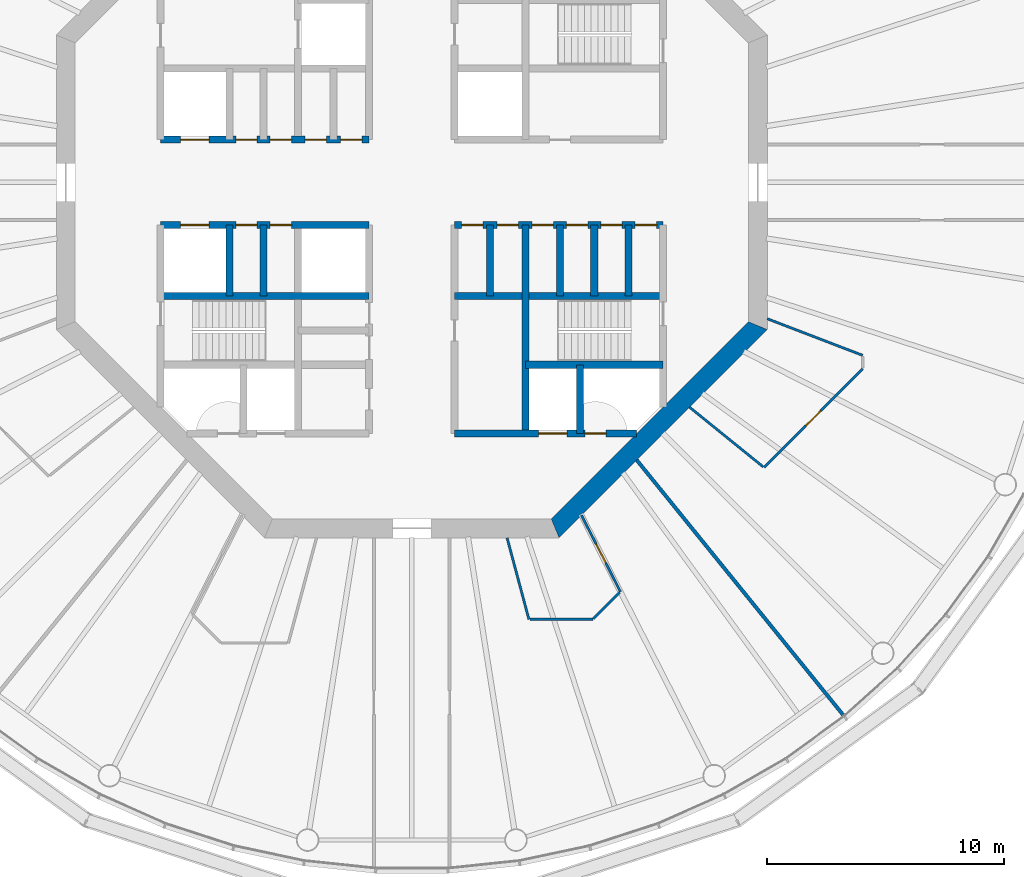
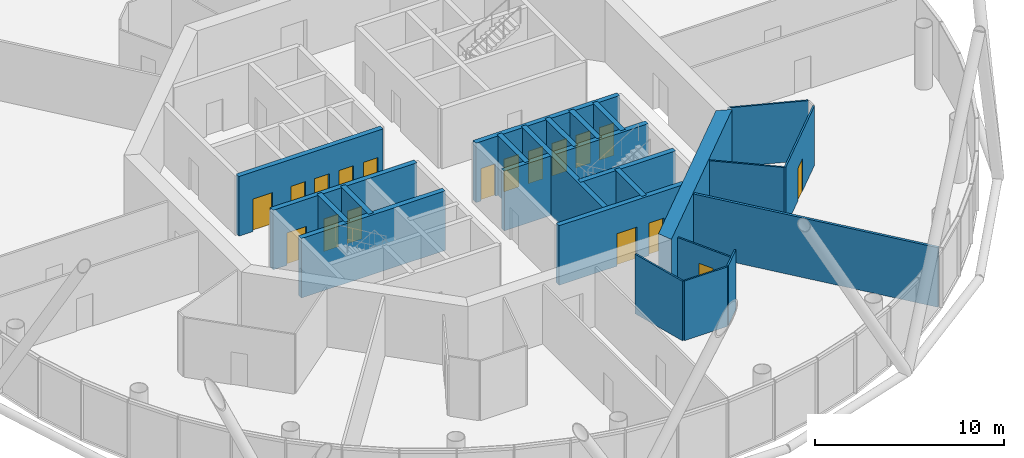
# One storey, part 4 of 13: 24 walls, 18 doors, 18 openings.
"""IFC4 building model written with IfcOpenShell, lengths in metres."""

from ifc_helpers import new_model, si_unit, direction, frame, frame_2d, origin, place, context, subcontext, project, spatial, polyline, rectangle, outline, extrude, material, layer, layer_set, type_object, element, fill, save


model = new_model("IFC4")

# Units and contexts
model_context = context("Model", 3, precision=1e-05, world=origin(), true_north=direction((0.0, 1.0)))
body_context = subcontext(model_context, "Body", "Model", "MODEL_VIEW")
ifc_project = project(units=[si_unit("LENGTHUNIT", "METRE"), si_unit("AREAUNIT", "SQUARE_METRE"), si_unit("VOLUMEUNIT", "CUBIC_METRE"), si_unit("PLANEANGLEUNIT", "RADIAN"), si_unit("MASSUNIT", "GRAM", prefix="KILO")], contexts=[model_context])

# Site, building, storey
site_placement = place(None, origin())
site = spatial("IfcSite", under=ifc_project, at=site_placement, CompositionType="ELEMENT")
building_placement = place(site_placement, origin())
building = spatial("IfcBuilding", under=site, at=building_placement, Name="Entoto Ring Tower", CompositionType="ELEMENT")
storey_placement = place(building_placement, frame((0.0, 0.0, 294.0)))
storey = spatial("IfcBuildingStorey", under=building, at=storey_placement, Name="L67", CompositionType="ELEMENT", Elevation=294.0)

# Walls
ifc_material_1 = material(Name="Concrete C40/50", Category="concrete")
ifc_layer_1 = layer(ifc_material_1, 0.300048828125)
ifc_layer_set_1 = layer_set([ifc_layer_1], Name="Concrete C40/50")
wall_type_1 = type_object("IfcWallType", Name="Core enclosure wall 300 mm reinforced concrete", PredefinedType="SOLIDWALL", material=ifc_layer_set_1)
for number, where, z_axis, x_axis, name in (
    (1, (99.14990234375, 75.199951171875, 0.0), (0.0, 0.0, 1.0), (0.0, 1.0, 0.0), "wall-L67-003"),
    (2, (97.699951171875, 75.199951171875, 0.0), (0.0, 0.0, 1.0), (0.0, 1.0, 0.0), "wall-L67-004"),
):
    element("IfcWall", number, at=place(storey_placement, frame(where, z_axis=z_axis, x_axis=x_axis)), inside=storey, type_object=wall_type_1, Name=name, PredefinedType="SOLIDWALL", context=body_context, shape_type="SweptSolid", body=[
        extrude(rectangle(XDim=3.0, YDim=0.300048828125, at=frame_2d((1.5, 0.0))), origin(), (0.0, 0.0, 1.0), 3.85009765625),
    ])
wall_1_placement = place(storey_placement, frame((97.10009765625, 69.39990234375, 0.0), z_axis=(0.0, 0.0, 1.0), x_axis=(0.0, 1.0, 0.0)))
element("IfcWall", 3, at=wall_1_placement, inside=storey, type_object=wall_type_1, Name="wall-L67-005", PredefinedType="SOLIDWALL", context=body_context, shape_type="SweptSolid", body=[
    extrude(rectangle(XDim=2.900146484375, YDim=0.300048828125, at=frame_2d((1.4501953125, 0.0))), origin(), (0.0, 0.0, 1.0), 3.85009765625),
])
wall_2_placement = place(storey_placement, frame((96.25, 75.199951171875, 0.0), z_axis=(0.0, 0.0, 1.0), x_axis=(0.0, 1.0, 0.0)))
element("IfcWall", 4, at=wall_2_placement, inside=storey, type_object=wall_type_1, Name="wall-L67-007", PredefinedType="SOLIDWALL", context=body_context, shape_type="SweptSolid", body=[
    extrude(rectangle(XDim=3.0, YDim=0.300048828125, at=frame_2d((1.5, 0.0))), origin(), (0.0, 0.0, 1.0), 3.85009765625),
])
wall_3_placement = place(storey_placement, frame((94.800048828125, 69.39990234375, 0.0), z_axis=(0.0, 0.0, 1.0), x_axis=(0.0, 1.0, 0.0)))
element("IfcWall", 5, at=wall_3_placement, inside=storey, type_object=wall_type_1, Name="wall-L67-008", PredefinedType="SOLIDWALL", context=body_context, shape_type="SweptSolid", body=[
    extrude(rectangle(XDim=8.800048828125, YDim=0.300048828125, at=frame_2d((4.39990234375, 0.0))), origin(), (0.0, 0.0, 1.0), 3.85009765625),
])
for number, where, z_axis, x_axis, name in (
    (6, (93.300048828125, 75.199951171875, 0.0), (0.0, 0.0, 1.0), (0.0, 1.0, 0.0), "wall-L67-010"),
    (7, (83.75, 75.199951171875, 0.0), (0.0, 0.0, 1.0), (0.0, 1.0, 0.0), "wall-L67-018"),
    (8, (82.300048828125, 75.199951171875, 0.0), (0.0, 0.0, 1.0), (0.0, 1.0, 0.0), "wall-L67-021"),
):
    element("IfcWall", number, at=place(storey_placement, frame(where, z_axis=z_axis, x_axis=x_axis)), inside=storey, type_object=wall_type_1, Name=name, PredefinedType="SOLIDWALL", context=body_context, shape_type="SweptSolid", body=[
        extrude(rectangle(XDim=3.0, YDim=0.300048828125, at=frame_2d((1.5, 0.0))), origin(), (0.0, 0.0, 1.0), 3.85009765625),
    ])

# Wall, openings, doors
wall_4_placement = place(storey_placement, frame((91.800048828125, 69.39990234375, 0.0), z_axis=(0.0, 0.0, 1.0), x_axis=(1.0, 0.0, 0.0)))
wall_4 = element("IfcWall", 9, at=wall_4_placement, inside=storey, type_object=wall_type_1, Name="wall-L67-026", PredefinedType="SOLIDWALL", context=body_context, shape_type="SweptSolid", body=[
    extrude(rectangle(XDim=7.681640625, YDim=0.300048828125, at=frame_2d((3.8408203125, 0.0))), origin(), (0.0, 0.0, 1.0), 3.85009765625),
])
opening_1_placement = place(wall_4_placement, frame((3.550048828125, 0.0, 0.0)))
opening_1 = element("IfcOpeningElement", 10, at=opening_1_placement, cuts=wall_4, Name="Opening LD", PredefinedType="OPENING", context=body_context, shape_type="SweptSolid", body=[
    extrude(rectangle(XDim=1.199951171875, YDim=2.10009765625, at=frame_2d((0.60009765625, 1.050048828125))), frame((0.0, 0.16015625, 0.0), z_axis=(0.0, -1.0, 0.0), x_axis=(1.0, 0.0, 0.0)), (0.0, 0.0, 1.0), 0.320068359375),
])
opening_2_placement = place(wall_4_placement, frame((5.5, 0.0, 0.0)))
opening_2 = element("IfcOpeningElement", 11, at=opening_2_placement, cuts=wall_4, Name="Opening K-34", PredefinedType="OPENING", context=body_context, shape_type="SweptSolid", body=[
    extrude(rectangle(XDim=0.89990234375, YDim=2.10009765625, at=frame_2d((0.449951171875, 1.050048828125))), frame((0.0, 0.16015625, 0.0), z_axis=(0.0, -1.0, 0.0), x_axis=(1.0, 0.0, 0.0)), (0.0, 0.0, 1.0), 0.320068359375),
])
ifc_material_2 = material(Name="Steel and glass door leaf", Category="steel")
ifc_layer_2 = layer(ifc_material_2, 0.050048828125)
ifc_layer_set_2 = layer_set([ifc_layer_2], Name="Steel and glass door leaf")
door_type_1 = type_object("IfcDoorType", Name="Landing door 1200 x 2100 sliding", OperationType="DOUBLE_DOOR_SLIDING", PredefinedType="DOOR", material=ifc_layer_set_2)
door_1_placement = place(opening_1_placement, origin())
door_1 = element("IfcDoor", 12, at=door_1_placement, inside=storey, type_object=door_type_1, Name="Landing door LB2-HR", OperationType="SLIDING_TO_RIGHT", OverallHeight=2.10009765625, OverallWidth=1.199951171875, PredefinedType="DOOR", context=body_context, shape_type="SweptSolid", body=[
    extrude(rectangle(XDim=1.199951171875, YDim=2.10009765625, at=frame_2d((0.60009765625, 1.050048828125))), frame((0.0, 0.02490234375, 0.0), z_axis=(0.0, -1.0, 0.0), x_axis=(1.0, 0.0, 0.0)), (0.0, 0.0, 1.0), 0.050048828125),
])
fill(opening_1, door_1)
ifc_material_3 = material(Name="Steel door leaf, fire rated", Category="steel")
ifc_layer_3 = layer(ifc_material_3, 0.050048828125)
ifc_layer_set_3 = layer_set([ifc_layer_3], Name="Steel door leaf, fire rated")
door_type_2 = type_object("IfcDoorType", Name="Riser door FD60 900 x 2100 single leaf", OperationType="NOTDEFINED", PredefinedType="DOOR", material=ifc_layer_set_3)
door_2_placement = place(opening_2_placement, origin())
door_2 = element("IfcDoor", 13, at=door_2_placement, inside=storey, type_object=door_type_2, Name="Door K-34", OperationType="SINGLE_SWING_LEFT", OverallHeight=2.10009765625, OverallWidth=0.89990234375, PredefinedType="DOOR", context=body_context, shape_type="SweptSolid", body=[
    extrude(rectangle(XDim=0.89990234375, YDim=2.10009765625, at=frame_2d((0.449951171875, 1.050048828125))), frame((0.0, 0.02490234375, 0.0), z_axis=(0.0, -1.0, 0.0), x_axis=(1.0, 0.0, 0.0)), (0.0, 0.0, 1.0), 0.050048828125),
])
fill(opening_2, door_2)

# Walls
wall_5_placement = place(storey_placement, frame((94.800048828125, 72.300048828125, 0.0), z_axis=(0.0, 0.0, 1.0), x_axis=(1.0, 0.0, 0.0)))
element("IfcWall", 14, at=wall_5_placement, inside=storey, type_object=wall_type_1, Name="wall-L67-028", PredefinedType="SOLIDWALL", context=body_context, shape_type="SweptSolid", body=[
    extrude(rectangle(XDim=5.800048828125, YDim=0.300048828125, at=frame_2d((2.89990234375, 0.0))), origin(), (0.0, 0.0, 1.0), 3.85009765625),
])
for number, where, z_axis, x_axis, name in (
    (15, (79.39990234375, 75.199951171875, 0.0), (0.0, 0.0, 1.0), (1.0, 0.0, 0.0), "wall-L67-030"),
    (16, (91.800048828125, 75.199951171875, 0.0), (0.0, 0.0, 1.0), (1.0, 0.0, 0.0), "wall-L67-031"),
):
    element("IfcWall", number, at=place(storey_placement, frame(where, z_axis=z_axis, x_axis=x_axis)), inside=storey, type_object=wall_type_1, Name=name, PredefinedType="SOLIDWALL", context=body_context, shape_type="SweptSolid", body=[
        extrude(rectangle(XDim=8.800048828125, YDim=0.300048828125, at=frame_2d((4.39990234375, 0.0))), origin(), (0.0, 0.0, 1.0), 3.85009765625),
    ])

# Wall, openings, doors
wall_6_placement = place(storey_placement, frame((79.39990234375, 78.199951171875, 0.0), z_axis=(0.0, 0.0, 1.0), x_axis=(1.0, 0.0, 0.0)))
wall_6 = element("IfcWall", 17, at=wall_6_placement, inside=storey, type_object=wall_type_1, Name="wall-L67-032", PredefinedType="SOLIDWALL", context=body_context, shape_type="SweptSolid", body=[
    extrude(rectangle(XDim=8.800048828125, YDim=0.300048828125, at=frame_2d((4.39990234375, 0.0))), origin(), (0.0, 0.0, 1.0), 3.85009765625),
])
opening_3_placement = place(wall_6_placement, frame((0.85009765625, 0.0, 0.0)))
opening_3 = element("IfcOpeningElement", 18, at=opening_3_placement, cuts=wall_6, Name="Opening LD", PredefinedType="OPENING", context=body_context, shape_type="SweptSolid", body=[
    extrude(rectangle(XDim=1.199951171875, YDim=2.10009765625, at=frame_2d((0.60009765625, 1.050048828125))), frame((0.0, 0.16015625, 0.0), z_axis=(0.0, -1.0, 0.0), x_axis=(1.0, 0.0, 0.0)), (0.0, 0.0, 1.0), 0.320068359375),
])
opening_4_placement = place(wall_6_placement, frame((3.175048828125, 0.0, 0.0)))
opening_4 = element("IfcOpeningElement", 19, at=opening_4_placement, cuts=wall_6, Name="Opening K-18", PredefinedType="OPENING", context=body_context, shape_type="SweptSolid", body=[
    extrude(rectangle(XDim=0.89990234375, YDim=2.10009765625, at=frame_2d((0.449951171875, 1.050048828125))), frame((0.0, 0.16015625, 0.0), z_axis=(0.0, -1.0, 0.0), x_axis=(1.0, 0.0, 0.0)), (0.0, 0.0, 1.0), 0.320068359375),
])
opening_5_placement = place(wall_6_placement, frame((4.625, 0.0, 0.0)))
opening_5 = element("IfcOpeningElement", 20, at=opening_5_placement, cuts=wall_6, Name="Opening K-19", PredefinedType="OPENING", context=body_context, shape_type="SweptSolid", body=[
    extrude(rectangle(XDim=0.89990234375, YDim=2.10009765625, at=frame_2d((0.449951171875, 1.050048828125))), frame((0.0, 0.16015625, 0.0), z_axis=(0.0, -1.0, 0.0), x_axis=(1.0, 0.0, 0.0)), (0.0, 0.0, 1.0), 0.320068359375),
])
ifc_material_4 = material(Name="Steel door leaf, fire rated", Category="steel")
ifc_layer_4 = layer(ifc_material_4, 0.050048828125)
ifc_layer_set_4 = layer_set([ifc_layer_4], Name="Steel door leaf, fire rated")
door_type_3 = type_object("IfcDoorType", Name="Core door 900 x 2100 single leaf", OperationType="NOTDEFINED", PredefinedType="DOOR", material=ifc_layer_set_4)
door_3_placement = place(opening_4_placement, frame((0.89990234375, 0.0, 0.0), z_axis=(0.0, 0.0, 1.0), x_axis=(-1.0, 0.0, 0.0)))
door_3 = element("IfcDoor", 21, at=door_3_placement, inside=storey, type_object=door_type_3, Name="Door K-18", OperationType="SINGLE_SWING_LEFT", OverallHeight=2.10009765625, OverallWidth=0.89990234375, PredefinedType="DOOR", context=body_context, shape_type="SweptSolid", body=[
    extrude(rectangle(XDim=0.89990234375, YDim=2.10009765625, at=frame_2d((0.449951171875, 1.050048828125))), frame((0.0, 0.02490234375, 0.0), z_axis=(0.0, -1.0, 0.0), x_axis=(1.0, 0.0, 0.0)), (0.0, 0.0, 1.0), 0.050048828125),
])
fill(opening_4, door_3)
door_4_placement = place(opening_5_placement, frame((0.89990234375, 0.0, 0.0), z_axis=(0.0, 0.0, 1.0), x_axis=(-1.0, 0.0, 0.0)))
door_4 = element("IfcDoor", 22, at=door_4_placement, inside=storey, type_object=door_type_3, Name="Door K-19", OperationType="SINGLE_SWING_LEFT", OverallHeight=2.10009765625, OverallWidth=0.89990234375, PredefinedType="DOOR", context=body_context, shape_type="SweptSolid", body=[
    extrude(rectangle(XDim=0.89990234375, YDim=2.10009765625, at=frame_2d((0.449951171875, 1.050048828125))), frame((0.0, 0.02490234375, 0.0), z_axis=(0.0, -1.0, 0.0), x_axis=(1.0, 0.0, 0.0)), (0.0, 0.0, 1.0), 0.050048828125),
])
fill(opening_5, door_4)
door_5_placement = place(opening_3_placement, origin())
door_5 = element("IfcDoor", 23, at=door_5_placement, inside=storey, type_object=door_type_1, Name="Landing door SH2", OperationType="SLIDING_TO_RIGHT", OverallHeight=2.10009765625, OverallWidth=1.199951171875, PredefinedType="DOOR", context=body_context, shape_type="SweptSolid", body=[
    extrude(rectangle(XDim=1.199951171875, YDim=2.10009765625, at=frame_2d((0.60009765625, 1.050048828125))), frame((0.0, 0.02490234375, 0.0), z_axis=(0.0, -1.0, 0.0), x_axis=(1.0, 0.0, 0.0)), (0.0, 0.0, 1.0), 0.050048828125),
])
fill(opening_3, door_5)

wall_7_placement = place(storey_placement, frame((91.800048828125, 78.199951171875, 0.0), z_axis=(0.0, 0.0, 1.0), x_axis=(1.0, 0.0, 0.0)))
wall_7 = element("IfcWall", 24, at=wall_7_placement, inside=storey, type_object=wall_type_1, Name="wall-L67-033", PredefinedType="SOLIDWALL", context=body_context, shape_type="SweptSolid", body=[
    extrude(rectangle(XDim=8.800048828125, YDim=0.300048828125, at=frame_2d((4.39990234375, 0.0))), origin(), (0.0, 0.0, 1.0), 3.85009765625),
])
opening_6_placement = place(wall_7_placement, frame((3.27490234375, 0.0, 0.0)))
opening_6 = element("IfcOpeningElement", 25, at=opening_6_placement, cuts=wall_7, Name="Opening K-14", PredefinedType="OPENING", context=body_context, shape_type="SweptSolid", body=[
    extrude(rectangle(XDim=0.89990234375, YDim=2.10009765625, at=frame_2d((0.449951171875, 1.050048828125))), frame((0.0, 0.16015625, 0.0), z_axis=(0.0, -1.0, 0.0), x_axis=(1.0, 0.0, 0.0)), (0.0, 0.0, 1.0), 0.320068359375),
])
opening_7_placement = place(wall_7_placement, frame((4.72509765625, 0.0, 0.0)))
opening_7 = element("IfcOpeningElement", 26, at=opening_7_placement, cuts=wall_7, Name="Opening K-15", PredefinedType="OPENING", context=body_context, shape_type="SweptSolid", body=[
    extrude(rectangle(XDim=0.89990234375, YDim=2.10009765625, at=frame_2d((0.449951171875, 1.050048828125))), frame((0.0, 0.16015625, 0.0), z_axis=(0.0, -1.0, 0.0), x_axis=(1.0, 0.0, 0.0)), (0.0, 0.0, 1.0), 0.320068359375),
])
opening_8_placement = place(wall_7_placement, frame((6.175048828125, 0.0, 0.0)))
opening_8 = element("IfcOpeningElement", 27, at=opening_8_placement, cuts=wall_7, Name="Opening K-16", PredefinedType="OPENING", context=body_context, shape_type="SweptSolid", body=[
    extrude(rectangle(XDim=0.89990234375, YDim=2.10009765625, at=frame_2d((0.449951171875, 1.050048828125))), frame((0.0, 0.16015625, 0.0), z_axis=(0.0, -1.0, 0.0), x_axis=(1.0, 0.0, 0.0)), (0.0, 0.0, 1.0), 0.320068359375),
])
opening_9_placement = place(wall_7_placement, frame((7.625, 0.0, 0.0)))
opening_9 = element("IfcOpeningElement", 28, at=opening_9_placement, cuts=wall_7, Name="Opening K-57", PredefinedType="OPENING", context=body_context, shape_type="SweptSolid", body=[
    extrude(rectangle(XDim=0.89990234375, YDim=2.10009765625, at=frame_2d((0.449951171875, 1.050048828125))), frame((0.0, 0.16015625, 0.0), z_axis=(0.0, -1.0, 0.0), x_axis=(1.0, 0.0, 0.0)), (0.0, 0.0, 1.0), 0.320068359375),
])
opening_10_placement = place(wall_7_placement, frame((0.300048828125, 0.0, 0.0)))
opening_10 = element("IfcOpeningElement", 29, at=opening_10_placement, cuts=wall_7, Name="Opening K-79", PredefinedType="OPENING", context=body_context, shape_type="SweptSolid", body=[
    extrude(rectangle(XDim=0.89990234375, YDim=2.10009765625, at=frame_2d((0.449951171875, 1.050048828125))), frame((0.0, 0.16015625, 0.0), z_axis=(0.0, -1.0, 0.0), x_axis=(1.0, 0.0, 0.0)), (0.0, 0.0, 1.0), 0.320068359375),
])
opening_11_placement = place(wall_7_placement, frame((1.800048828125, 0.0, 0.0)))
opening_11 = element("IfcOpeningElement", 30, at=opening_11_placement, cuts=wall_7, Name="Opening K-81", PredefinedType="OPENING", context=body_context, shape_type="SweptSolid", body=[
    extrude(rectangle(XDim=0.89990234375, YDim=2.10009765625, at=frame_2d((0.449951171875, 1.050048828125))), frame((0.0, 0.16015625, 0.0), z_axis=(0.0, -1.0, 0.0), x_axis=(1.0, 0.0, 0.0)), (0.0, 0.0, 1.0), 0.320068359375),
])
door_6_placement = place(opening_6_placement, frame((0.89990234375, 0.0, 0.0), z_axis=(0.0, 0.0, 1.0), x_axis=(-1.0, 0.0, 0.0)))
door_6 = element("IfcDoor", 31, at=door_6_placement, inside=storey, type_object=door_type_3, Name="Door K-14", OperationType="SINGLE_SWING_LEFT", OverallHeight=2.10009765625, OverallWidth=0.89990234375, PredefinedType="DOOR", context=body_context, shape_type="SweptSolid", body=[
    extrude(rectangle(XDim=0.89990234375, YDim=2.10009765625, at=frame_2d((0.449951171875, 1.050048828125))), frame((0.0, 0.02490234375, 0.0), z_axis=(0.0, -1.0, 0.0), x_axis=(1.0, 0.0, 0.0)), (0.0, 0.0, 1.0), 0.050048828125),
])
fill(opening_6, door_6)
door_7_placement = place(opening_7_placement, frame((0.89990234375, 0.0, 0.0), z_axis=(0.0, 0.0, 1.0), x_axis=(-1.0, 0.0, 0.0)))
door_7 = element("IfcDoor", 32, at=door_7_placement, inside=storey, type_object=door_type_3, Name="Door K-15", OperationType="SINGLE_SWING_RIGHT", OverallHeight=2.10009765625, OverallWidth=0.89990234375, PredefinedType="DOOR", context=body_context, shape_type="SweptSolid", body=[
    extrude(rectangle(XDim=0.89990234375, YDim=2.10009765625, at=frame_2d((0.449951171875, 1.050048828125))), frame((0.0, 0.02490234375, 0.0), z_axis=(0.0, -1.0, 0.0), x_axis=(1.0, 0.0, 0.0)), (0.0, 0.0, 1.0), 0.050048828125),
])
fill(opening_7, door_7)
door_8_placement = place(opening_8_placement, frame((0.89990234375, 0.0, 0.0), z_axis=(0.0, 0.0, 1.0), x_axis=(-1.0, 0.0, 0.0)))
door_8 = element("IfcDoor", 33, at=door_8_placement, inside=storey, type_object=door_type_3, Name="Door K-16", OperationType="SINGLE_SWING_RIGHT", OverallHeight=2.10009765625, OverallWidth=0.89990234375, PredefinedType="DOOR", context=body_context, shape_type="SweptSolid", body=[
    extrude(rectangle(XDim=0.89990234375, YDim=2.10009765625, at=frame_2d((0.449951171875, 1.050048828125))), frame((0.0, 0.02490234375, 0.0), z_axis=(0.0, -1.0, 0.0), x_axis=(1.0, 0.0, 0.0)), (0.0, 0.0, 1.0), 0.050048828125),
])
fill(opening_8, door_8)
door_9_placement = place(opening_9_placement, frame((0.89990234375, 0.0, 0.0), z_axis=(0.0, 0.0, 1.0), x_axis=(-1.0, 0.0, 0.0)))
door_9 = element("IfcDoor", 34, at=door_9_placement, inside=storey, type_object=door_type_3, Name="Door K-57", OperationType="SINGLE_SWING_RIGHT", OverallHeight=2.10009765625, OverallWidth=0.89990234375, PredefinedType="DOOR", context=body_context, shape_type="SweptSolid", body=[
    extrude(rectangle(XDim=0.89990234375, YDim=2.10009765625, at=frame_2d((0.449951171875, 1.050048828125))), frame((0.0, 0.02490234375, 0.0), z_axis=(0.0, -1.0, 0.0), x_axis=(1.0, 0.0, 0.0)), (0.0, 0.0, 1.0), 0.050048828125),
])
fill(opening_9, door_9)
door_10_placement = place(opening_10_placement, frame((0.89990234375, 0.0, 0.0), z_axis=(0.0, 0.0, 1.0), x_axis=(-1.0, 0.0, 0.0)))
door_10 = element("IfcDoor", 35, at=door_10_placement, inside=storey, type_object=door_type_3, Name="Door K-79", OperationType="SINGLE_SWING_RIGHT", OverallHeight=2.10009765625, OverallWidth=0.89990234375, PredefinedType="DOOR", context=body_context, shape_type="SweptSolid", body=[
    extrude(rectangle(XDim=0.89990234375, YDim=2.10009765625, at=frame_2d((0.449951171875, 1.050048828125))), frame((0.0, 0.02490234375, 0.0), z_axis=(0.0, -1.0, 0.0), x_axis=(1.0, 0.0, 0.0)), (0.0, 0.0, 1.0), 0.050048828125),
])
fill(opening_10, door_10)
door_11_placement = place(opening_11_placement, frame((0.89990234375, 0.0, 0.0), z_axis=(0.0, 0.0, 1.0), x_axis=(-1.0, 0.0, 0.0)))
door_11 = element("IfcDoor", 36, at=door_11_placement, inside=storey, type_object=door_type_3, Name="Door K-81", OperationType="SINGLE_SWING_RIGHT", OverallHeight=2.10009765625, OverallWidth=0.89990234375, PredefinedType="DOOR", context=body_context, shape_type="SweptSolid", body=[
    extrude(rectangle(XDim=0.89990234375, YDim=2.10009765625, at=frame_2d((0.449951171875, 1.050048828125))), frame((0.0, 0.02490234375, 0.0), z_axis=(0.0, -1.0, 0.0), x_axis=(1.0, 0.0, 0.0)), (0.0, 0.0, 1.0), 0.050048828125),
])
fill(opening_11, door_11)

wall_8_placement = place(storey_placement, frame((79.39990234375, 81.800048828125, 0.0), z_axis=(0.0, 0.0, 1.0), x_axis=(1.0, 0.0, 0.0)))
wall_8 = element("IfcWall", 37, at=wall_8_placement, inside=storey, type_object=wall_type_1, Name="wall-L67-034", PredefinedType="SOLIDWALL", context=body_context, shape_type="SweptSolid", body=[
    extrude(rectangle(XDim=8.800048828125, YDim=0.300048828125, at=frame_2d((4.39990234375, 0.0))), origin(), (0.0, 0.0, 1.0), 3.85009765625),
])
opening_12_placement = place(wall_8_placement, frame((0.85009765625, 0.0, 0.0)))
opening_12 = element("IfcOpeningElement", 38, at=opening_12_placement, cuts=wall_8, Name="Opening LD", PredefinedType="OPENING", context=body_context, shape_type="SweptSolid", body=[
    extrude(rectangle(XDim=1.199951171875, YDim=2.10009765625, at=frame_2d((0.60009765625, 1.050048828125))), frame((0.0, 0.16015625, 0.0), z_axis=(0.0, -1.0, 0.0), x_axis=(1.0, 0.0, 0.0)), (0.0, 0.0, 1.0), 0.320068359375),
])
opening_13_placement = place(wall_8_placement, frame((3.175048828125, 0.0, 0.0)))
opening_13 = element("IfcOpeningElement", 39, at=opening_13_placement, cuts=wall_8, Name="Opening K-12", PredefinedType="OPENING", context=body_context, shape_type="SweptSolid", body=[
    extrude(rectangle(XDim=0.89990234375, YDim=2.10009765625, at=frame_2d((0.449951171875, 1.050048828125))), frame((0.0, 0.16015625, 0.0), z_axis=(0.0, -1.0, 0.0), x_axis=(1.0, 0.0, 0.0)), (0.0, 0.0, 1.0), 0.320068359375),
])
opening_14_placement = place(wall_8_placement, frame((4.625, 0.0, 0.0)))
opening_14 = element("IfcOpeningElement", 40, at=opening_14_placement, cuts=wall_8, Name="Opening K-46", PredefinedType="OPENING", context=body_context, shape_type="SweptSolid", body=[
    extrude(rectangle(XDim=0.89990234375, YDim=2.10009765625, at=frame_2d((0.449951171875, 1.050048828125))), frame((0.0, 0.16015625, 0.0), z_axis=(0.0, -1.0, 0.0), x_axis=(1.0, 0.0, 0.0)), (0.0, 0.0, 1.0), 0.320068359375),
])
opening_15_placement = place(wall_8_placement, frame((6.10009765625, 0.0, 0.0)))
opening_15 = element("IfcOpeningElement", 41, at=opening_15_placement, cuts=wall_8, Name="Opening K-25", PredefinedType="OPENING", context=body_context, shape_type="SweptSolid", body=[
    extrude(rectangle(XDim=0.89990234375, YDim=2.10009765625, at=frame_2d((0.449951171875, 1.050048828125))), frame((0.0, 0.16015625, 0.0), z_axis=(0.0, -1.0, 0.0), x_axis=(1.0, 0.0, 0.0)), (0.0, 0.0, 1.0), 0.320068359375),
])
opening_16_placement = place(wall_8_placement, frame((7.60009765625, 0.0, 0.0)))
opening_16 = element("IfcOpeningElement", 42, at=opening_16_placement, cuts=wall_8, Name="Opening K-77", PredefinedType="OPENING", context=body_context, shape_type="SweptSolid", body=[
    extrude(rectangle(XDim=0.89990234375, YDim=2.10009765625, at=frame_2d((0.449951171875, 1.050048828125))), frame((0.0, 0.16015625, 0.0), z_axis=(0.0, -1.0, 0.0), x_axis=(1.0, 0.0, 0.0)), (0.0, 0.0, 1.0), 0.320068359375),
])
door_12_placement = place(opening_13_placement, origin())
door_12 = element("IfcDoor", 43, at=door_12_placement, inside=storey, type_object=door_type_3, Name="Door K-12", OperationType="SINGLE_SWING_RIGHT", OverallHeight=2.10009765625, OverallWidth=0.89990234375, PredefinedType="DOOR", context=body_context, shape_type="SweptSolid", body=[
    extrude(rectangle(XDim=0.89990234375, YDim=2.10009765625, at=frame_2d((0.449951171875, 1.050048828125))), frame((0.0, 0.02490234375, 0.0), z_axis=(0.0, -1.0, 0.0), x_axis=(1.0, 0.0, 0.0)), (0.0, 0.0, 1.0), 0.050048828125),
])
fill(opening_13, door_12)
door_13_placement = place(opening_14_placement, origin())
door_13 = element("IfcDoor", 44, at=door_13_placement, inside=storey, type_object=door_type_3, Name="Door K-46", OperationType="SINGLE_SWING_RIGHT", OverallHeight=2.10009765625, OverallWidth=0.89990234375, PredefinedType="DOOR", context=body_context, shape_type="SweptSolid", body=[
    extrude(rectangle(XDim=0.89990234375, YDim=2.10009765625, at=frame_2d((0.449951171875, 1.050048828125))), frame((0.0, 0.02490234375, 0.0), z_axis=(0.0, -1.0, 0.0), x_axis=(1.0, 0.0, 0.0)), (0.0, 0.0, 1.0), 0.050048828125),
])
fill(opening_14, door_13)
door_14_placement = place(opening_15_placement, origin())
door_14 = element("IfcDoor", 45, at=door_14_placement, inside=storey, type_object=door_type_3, Name="Door K-25", OperationType="SINGLE_SWING_LEFT", OverallHeight=2.10009765625, OverallWidth=0.89990234375, PredefinedType="DOOR", context=body_context, shape_type="SweptSolid", body=[
    extrude(rectangle(XDim=0.89990234375, YDim=2.10009765625, at=frame_2d((0.449951171875, 1.050048828125))), frame((0.0, 0.02490234375, 0.0), z_axis=(0.0, -1.0, 0.0), x_axis=(1.0, 0.0, 0.0)), (0.0, 0.0, 1.0), 0.050048828125),
])
fill(opening_15, door_14)
door_15_placement = place(opening_16_placement, origin())
door_15 = element("IfcDoor", 46, at=door_15_placement, inside=storey, type_object=door_type_3, Name="Door K-77", OperationType="SINGLE_SWING_LEFT", OverallHeight=2.10009765625, OverallWidth=0.89990234375, PredefinedType="DOOR", context=body_context, shape_type="SweptSolid", body=[
    extrude(rectangle(XDim=0.89990234375, YDim=2.10009765625, at=frame_2d((0.449951171875, 1.050048828125))), frame((0.0, 0.02490234375, 0.0), z_axis=(0.0, -1.0, 0.0), x_axis=(1.0, 0.0, 0.0)), (0.0, 0.0, 1.0), 0.050048828125),
])
fill(opening_16, door_15)
door_16_placement = place(opening_12_placement, origin())
door_16 = element("IfcDoor", 47, at=door_16_placement, inside=storey, type_object=door_type_1, Name="Landing door SH1", OperationType="SLIDING_TO_RIGHT", OverallHeight=2.10009765625, OverallWidth=1.199951171875, PredefinedType="DOOR", context=body_context, shape_type="SweptSolid", body=[
    extrude(rectangle(XDim=1.199951171875, YDim=2.10009765625, at=frame_2d((0.60009765625, 1.050048828125))), frame((0.0, 0.02490234375, 0.0), z_axis=(0.0, -1.0, 0.0), x_axis=(1.0, 0.0, 0.0)), (0.0, 0.0, 1.0), 0.050048828125),
])
fill(opening_12, door_16)

# Wall
ifc_material_5 = material(Name="Concrete C40/50", Category="concrete")
ifc_layer_5 = layer(ifc_material_5, 0.800048828125)
ifc_layer_set_5 = layer_set([ifc_layer_5], Name="Concrete C40/50")
wall_type_2 = type_object("IfcWallType", Name="Core shear wall 800 mm reinforced concrete C40/50", PredefinedType="SHEAR", material=ifc_layer_set_5)
wall_9_placement = place(storey_placement, frame((96.047607421875, 65.39990234375, 0.0), z_axis=(0.0, 0.0, 1.0), x_axis=(0.707106781187, 0.707106781187, 0.0)))
element("IfcWall", 48, at=wall_9_placement, inside=storey, type_object=wall_type_2, Name="wall-L67-core-7", PredefinedType="SHEAR", context=body_context, shape_type="SweptSolid", body=[
    extrude(outline(polyline([(-0.165771484375, -0.39990234375), (12.2607421875, -0.39990234375), (11.92919921875, 0.39990234375), (0.165771484375, 0.39990234375), (-0.165771484375, -0.39990234375)])), origin(), (0.0, 0.0, 1.0), 4.0),
])

# Wall, opening, door
ifc_material_6 = material(Name="Plasterboard on steel studs", Category="steel")
ifc_layer_6 = layer(ifc_material_6, 0.10009765625)
ifc_layer_set_6 = layer_set([ifc_layer_6], Name="Plasterboard on steel studs")
wall_type_3 = type_object("IfcWallType", Name="Partition 100 mm plasterboard on steel studs", PredefinedType="PARTITIONING", material=ifc_layer_set_6)
wall_10_placement = place(storey_placement, frame((104.86279296875, 67.96435546875, 0.0), z_axis=(0.0, 0.0, 1.0), x_axis=(0.707106781187, 0.707106781187, 0.0)))
wall_10 = element("IfcWall", 49, at=wall_10_placement, inside=storey, type_object=wall_type_3, Name="partition-L67-014", PredefinedType="PARTITIONING", context=body_context, shape_type="SweptSolid", body=[
    extrude(rectangle(XDim=5.879150390625, YDim=0.10009765625, at=frame_2d((2.939453125, 0.0))), origin(), (0.0, 0.0, 1.0), 3.85009765625),
])
opening_17_placement = place(wall_10_placement, frame((2.489501953125, 0.0, 0.0)))
opening_17 = element("IfcOpeningElement", 50, at=opening_17_placement, cuts=wall_10, Name="Opening A29-D16", PredefinedType="OPENING", context=body_context, shape_type="SweptSolid", body=[
    extrude(rectangle(XDim=0.89990234375, YDim=2.10009765625, at=frame_2d((0.449951171875, 1.050048828125))), frame((0.0, 0.06005859375, 0.0), z_axis=(0.0, -1.0, 0.0), x_axis=(1.0, 0.0, 0.0)), (0.0, 0.0, 1.0), 0.1201171875),
])
ifc_material_7 = material(Name="Veneered timber door leaf in timber frame", Category="wood")
door_type_4 = type_object("IfcDoorType", Name="Door 900 x 2100 single leaf timber veneer", OperationType="NOTDEFINED", PredefinedType="DOOR", material=ifc_material_7)
door_17_placement = place(opening_17_placement, origin())
door_17 = element("IfcDoor", 51, at=door_17_placement, inside=storey, type_object=door_type_4, Name="Door A29-D16", OperationType="SINGLE_SWING_LEFT", OverallHeight=2.10009765625, OverallWidth=0.89990234375, PredefinedType="DOOR", context=body_context, shape_type="SweptSolid", body=[
    extrude(rectangle(XDim=0.89990234375, YDim=2.10009765625, at=frame_2d((0.449951171875, 1.050048828125))), frame((0.0, 0.02490234375, 0.0), z_axis=(0.0, -1.0, 0.0), x_axis=(1.0, 0.0, 0.0)), (0.0, 0.0, 1.0), 0.050048828125),
])
fill(opening_17, door_17)

# Walls
wall_11_placement = place(storey_placement, frame((109.02001953125, 72.698974609375, 0.0), z_axis=(0.0, 0.0, 1.0), x_axis=(-0.933593802997, 0.358333100628, 0.0)))
element("IfcWall", 52, at=wall_11_placement, inside=storey, type_object=wall_type_3, Name="partition-L67-025", PredefinedType="PARTITIONING", context=body_context, shape_type="SweptSolid", body=[
    extrude(rectangle(XDim=4.305908203125, YDim=0.10009765625, at=frame_2d((2.15283203125, 0.0))), origin(), (0.0, 0.0, 1.0), 3.85009765625),
])
wall_12_placement = place(storey_placement, frame((104.82421875, 67.99560546875, 0.0), z_axis=(0.0, 0.0, 1.0), x_axis=(-0.777132362366, 0.629337184158, 0.0)))
element("IfcWall", 53, at=wall_12_placement, inside=storey, type_object=wall_type_3, Name="partition-L67-026", PredefinedType="PARTITIONING", context=body_context, shape_type="SweptSolid", body=[
    extrude(rectangle(XDim=3.99267578125, YDim=0.10009765625, at=frame_2d((1.996337890625, 0.0))), origin(), (0.0, 0.0, 1.0), 3.85009765625),
])
wall_13_placement = place(storey_placement, frame((94.94091796875, 61.56005859375, 0.0), z_axis=(0.0, 0.0, 1.0), x_axis=(-0.258793196515, 0.965932752026, 0.0)))
element("IfcWall", 54, at=wall_13_placement, inside=storey, type_object=wall_type_3, Name="partition-L67-030", PredefinedType="PARTITIONING", context=body_context, shape_type="SweptSolid", body=[
    extrude(rectangle(XDim=3.561279296875, YDim=0.10009765625, at=frame_2d((1.78076171875, 0.0))), origin(), (0.0, 0.0, 1.0), 3.85009765625),
])
wall_14_placement = place(storey_placement, frame((94.9892578125, 61.56005859375, 0.0), z_axis=(0.0, 0.0, 1.0), x_axis=(1.0, 0.0, 0.0)))
element("IfcWall", 55, at=wall_14_placement, inside=storey, type_object=wall_type_3, Name="partition-L67-034", PredefinedType="PARTITIONING", context=body_context, shape_type="SweptSolid", body=[
    extrude(rectangle(XDim=2.64892578125, YDim=0.10009765625, at=frame_2d((1.324462890625, 0.0))), origin(), (0.0, 0.0, 1.0), 3.85009765625),
])
wall_15_placement = place(storey_placement, frame((97.662841796875, 61.584716796875, 0.0), z_axis=(0.0, 0.0, 1.0), x_axis=(0.707028738388, 0.707184815372, 0.0)))
element("IfcWall", 56, at=wall_15_placement, inside=storey, type_object=wall_type_3, Name="partition-L67-040", PredefinedType="PARTITIONING", context=body_context, shape_type="SweptSolid", body=[
    extrude(rectangle(XDim=1.564208984375, YDim=0.10009765625, at=frame_2d((0.7822265625, 0.0))), origin(), (0.0, 0.0, 1.0), 3.85009765625),
])

# Wall, opening, door
ifc_material_8 = material(Name="Plasterboard on steel studs", Category="steel")
ifc_layer_7 = layer(ifc_material_8, 0.10009765625)
ifc_layer_set_7 = layer_set([ifc_layer_7], Name="Plasterboard on steel studs")
wall_type_4 = type_object("IfcWallType", Name="Partition 100 mm plasterboard on steel studs, 3250 mm high", PredefinedType="PARTITIONING", material=ifc_layer_set_7)
wall_16_placement = place(storey_placement, frame((98.802490234375, 62.724365234375, 0.0), z_axis=(0.0, 0.0, 1.0), x_axis=(-0.454004650411, 0.89099931392, 0.0)))
wall_16 = element("IfcWall", 57, at=wall_16_placement, inside=storey, type_object=wall_type_4, Name="partition-L67-029", PredefinedType="PARTITIONING", context=body_context, shape_type="SweptSolid", body=[
    extrude(rectangle(XDim=3.616943359375, YDim=0.10009765625, at=frame_2d((1.80859375, 0.0))), origin(), (0.0, 0.0, 1.0), 3.25),
])
opening_18_placement = place(wall_16_placement, frame((1.3583984375, 0.0, 0.0)))
opening_18 = element("IfcOpeningElement", 58, at=opening_18_placement, cuts=wall_16, Name="Opening A29-D14", PredefinedType="OPENING", context=body_context, shape_type="SweptSolid", body=[
    extrude(rectangle(XDim=0.89990234375, YDim=2.10009765625, at=frame_2d((0.449951171875, 1.050048828125))), frame((0.0, 0.06005859375, 0.0), z_axis=(0.0, -1.0, 0.0), x_axis=(1.0, 0.0, 0.0)), (0.0, 0.0, 1.0), 0.1201171875),
])
door_18_placement = place(opening_18_placement, origin())
door_18 = element("IfcDoor", 59, at=door_18_placement, inside=storey, type_object=door_type_4, Name="Door A29-D14", OperationType="SINGLE_SWING_RIGHT", OverallHeight=2.10009765625, OverallWidth=0.89990234375, PredefinedType="DOOR", context=body_context, shape_type="SweptSolid", body=[
    extrude(rectangle(XDim=0.89990234375, YDim=2.10009765625, at=frame_2d((0.449951171875, 1.050048828125))), frame((0.0, 0.02490234375, 0.0), z_axis=(0.0, -1.0, 0.0), x_axis=(1.0, 0.0, 0.0)), (0.0, 0.0, 1.0), 0.050048828125),
])
fill(opening_18, door_18)

# Wall
ifc_material_9 = material(Name="Fire-resisting acoustic plasterboard on steel studs", Category="steel")
ifc_layer_8 = layer(ifc_material_9, 0.14990234375)
ifc_layer_set_8 = layer_set([ifc_layer_8], Name="Fire-resisting acoustic plasterboard on steel studs")
wall_type_5 = type_object("IfcWallType", Name="Party wall 150 mm one-hour acoustic plasterboard on steel studs", PredefinedType="PARTITIONING", material=ifc_layer_set_8)
wall_17_placement = place(storey_placement, frame((108.21240234375, 57.509521484375, 0.0), z_axis=(0.0, 0.0, 1.0), x_axis=(-0.629324927109, 0.777142288207, 0.0)))
element("IfcWall", 60, at=wall_17_placement, inside=storey, type_object=wall_type_5, Name="partition-L67-012", PredefinedType="PARTITIONING", context=body_context, shape_type="SweptSolid", body=[
    extrude(rectangle(XDim=13.857177734375, YDim=0.14990234375, at=frame_2d((6.9287109375, 0.0))), origin(), (0.0, 0.0, 1.0), 3.85009765625),
])

save(model, "model.ifc")
